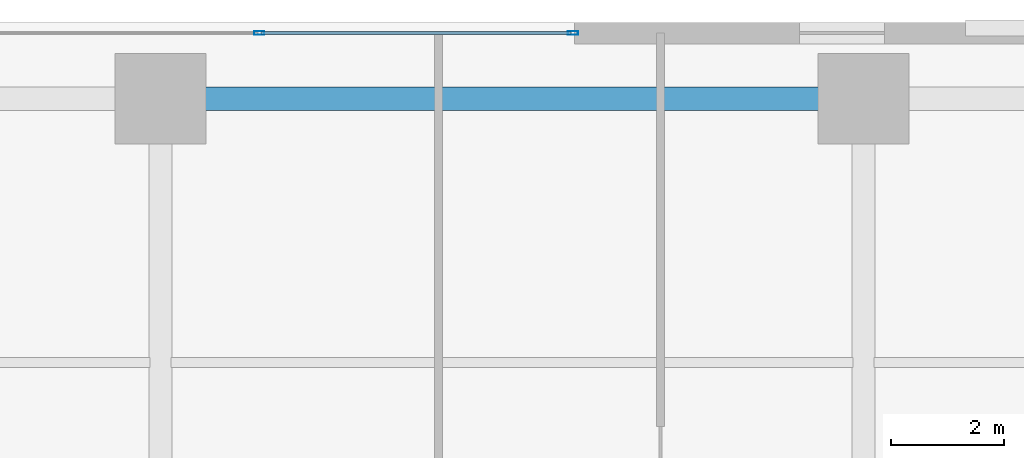
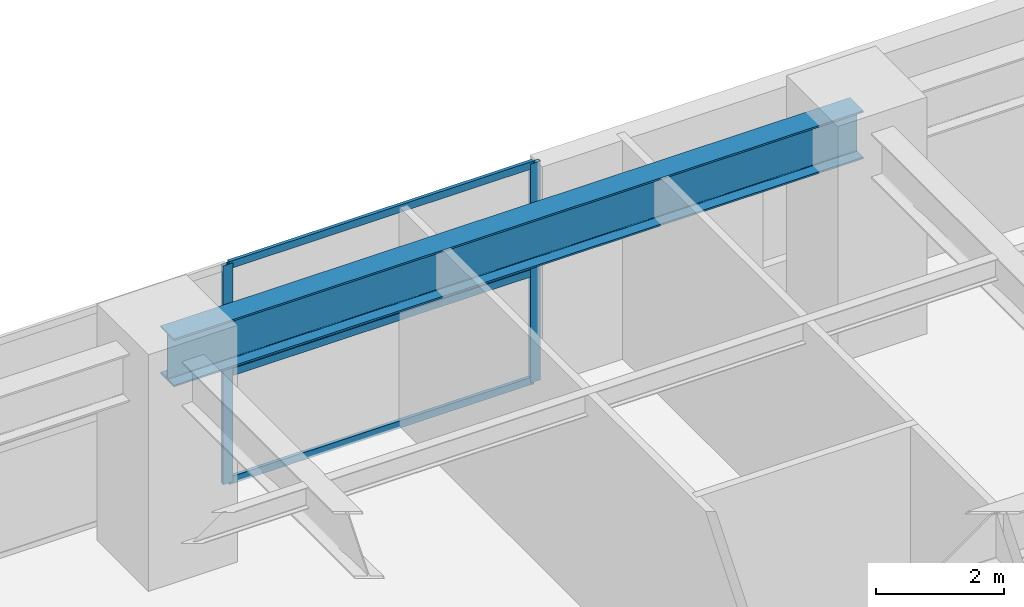
# One storey, part 8 of 28: 5 members, 1 beam, 1 element without a shape of its own.
"""IFC4 building model written with IfcOpenShell, lengths in metres."""

from ifc_helpers import new_model, si_unit, direction, frame, origin, origin_2d, place, context, subcontext, project, spatial, hollow_rectangle, i_section, extrude, source, transform, mapped, material, layer, layer_set, material_profile, profile_set, type_object, element, aggregate, save


model = new_model("IFC4")

# Units and contexts
model_context = context("Model", 3, precision=1e-05, world=origin(), true_north=direction((0.0, 1.0)))
body_context = subcontext(model_context, "Body", "Model", "MODEL_VIEW")
ifc_project = project(units=[si_unit("LENGTHUNIT", "METRE"), si_unit("AREAUNIT", "SQUARE_METRE"), si_unit("VOLUMEUNIT", "CUBIC_METRE"), si_unit("PLANEANGLEUNIT", "RADIAN"), si_unit("MASSUNIT", "GRAM", prefix="KILO")], contexts=[model_context])

# Site, building, storey
site_placement = place(None, origin())
site = spatial("IfcSite", under=ifc_project, at=site_placement, CompositionType="ELEMENT")
building_placement = place(site_placement, origin())
building = spatial("IfcBuilding", under=site, at=building_placement, Name="Khoralis Quay Care Tower", CompositionType="ELEMENT")
storey_placement = place(building_placement, frame((0.0, 0.0, 9.0)))
storey = spatial("IfcBuildingStorey", under=building, at=storey_placement, Name="L02", CompositionType="ELEMENT", Elevation=9.0)

# Beam
ifc_material_1 = material(Name="Steel S355", Category="steel")
ifc_material_profile_1 = material_profile(ifc_material_1, i_section(OverallWidth=0.41796875, OverallDepth=0.912109375, WebThickness=0.019287109375, FlangeThickness=0.031982421875, FilletRadius=0.02392578125, at=origin_2d()), Name="Steel S355")
ifc_profile_set_1 = profile_set([ifc_material_profile_1], Name="Steel S355")
beam_type = type_object("IfcBeamType", Name="BM-W920X342", PredefinedType="BEAM", material=ifc_profile_set_1)
shared_shape_1 = source(origin(), body_context, "Body", "SweptSolid", [
    extrude(i_section(OverallWidth=0.41796875, OverallDepth=0.912109375, WebThickness=0.019287109375, FlangeThickness=0.031982421875, FilletRadius=0.02392578125, at=origin_2d()), origin(), (0.0, 0.0, 1.0), 12.39990234375),
])
beam_placement = place(storey_placement, frame((34.60009765625, 46.64990234375, 3.7041015625), z_axis=(1.0, 0.0, 0.0), x_axis=(0.0, 1.0, 0.0)))
element("IfcBeam", 1, at=beam_placement, inside=storey, type_object=beam_type, Name="BM-PODX-L02-22", PredefinedType="BEAM", context=body_context, shape_type="MappedRepresentation", body=[
    mapped(shared_shape_1, transform((0.0, 0.0, 0.0), scale=1.0)),
])

# Curtain wall, members
ifc_material_2 = material(Name="Pale anodised aluminium", Category="aluminium")
ifc_layer = layer(ifc_material_2, 0.179931640625)
ifc_layer_set = layer_set([ifc_layer], Name="Pale anodised aluminium")
curtain_wall_type = type_object("IfcCurtainWallType", Name="CW-SYS-Z1", PredefinedType="NOTDEFINED", material=ifc_layer_set)
curtain_wall_placement = place(storey_placement, origin())
curtain_wall = element("IfcCurtainWall", 2, at=curtain_wall_placement, inside=storey, type_object=curtain_wall_type, Name="L02 Unitised Curtain Wall CW-POD-L02-E4", PredefinedType="NOTDEFINED")
ifc_material_profile_2 = material_profile(ifc_material_2, hollow_rectangle(XDim=0.06494140625, YDim=0.179931640625, WallThickness=0.00390625, at=origin_2d()), Name="Pale anodised aluminium")
ifc_profile_set_2 = profile_set([ifc_material_profile_2], Name="Pale anodised aluminium")
member_type_1 = type_object("IfcMemberType", Name="CW-MUL-180", PredefinedType="MULLION", material=ifc_profile_set_2)
shared_shape_2 = source(origin(), body_context, "Body", "SweptSolid", [
    extrude(hollow_rectangle(XDim=0.06494140625, YDim=0.179931640625, WallThickness=0.00390625, at=origin_2d()), origin(), (0.0, 0.0, 1.0), 4.159912109375),
])
member_1_placement = place(storey_placement, frame((41.875, 47.81005859375, 0.0), z_axis=(0.0, 0.0, 1.0), x_axis=(0.0, -1.0, 0.0)))
member_1 = element("IfcMember", 3, at=member_1_placement, type_object=member_type_1, Name="CW1 mullion 1", PredefinedType="MULLION", context=body_context, shape_type="MappedRepresentation", body=[
    mapped(shared_shape_2, transform((0.0, 0.0, 0.0), scale=1.0)),
])
member_2_placement = place(storey_placement, frame((36.343017578125, 47.81005859375, 0.0), z_axis=(0.0, 0.0, 1.0), x_axis=(0.0, -1.0, 0.0)))
member_2 = element("IfcMember", 4, at=member_2_placement, type_object=member_type_1, Name="CW1 mullion 2", PredefinedType="MULLION", context=body_context, shape_type="MappedRepresentation", body=[
    mapped(shared_shape_2, transform((0.0, 0.0, 0.0), scale=1.0)),
])
ifc_material_profile_3 = material_profile(ifc_material_2, hollow_rectangle(XDim=0.06005859375, YDim=0.139892578125, WallThickness=0.00390625, at=origin_2d()), Name="Pale anodised aluminium")
ifc_profile_set_3 = profile_set([ifc_material_profile_3], Name="Pale anodised aluminium")
member_type_2 = type_object("IfcMemberType", Name="CW-TRN-140", PredefinedType="USERDEFINED", material=ifc_profile_set_3)
shared_shape_3 = source(origin(), body_context, "Body", "SweptSolid", [
    extrude(hollow_rectangle(XDim=0.06005859375, YDim=0.139892578125, WallThickness=0.00390625, at=origin_2d()), origin(), (0.0, 0.0, 1.0), 5.471923828125),
])
member_3_placement = place(storey_placement, frame((41.844970703125, 47.81005859375, 0.030029296875), z_axis=(-1.0, 0.0, 0.0), x_axis=(0.0, -1.0, 0.0)))
member_3 = element("IfcMember", 5, at=member_3_placement, type_object=member_type_2, Name="CW1 transom 1.1", ObjectType="TRANSOM", PredefinedType="USERDEFINED", context=body_context, shape_type="MappedRepresentation", body=[
    mapped(shared_shape_3, transform((0.0, 0.0, 0.0), scale=1.0)),
])
member_4_placement = place(storey_placement, frame((41.844970703125, 47.81005859375, 2.080078125), z_axis=(-1.0, 0.0, 0.0), x_axis=(0.0, -1.0, 0.0)))
member_4 = element("IfcMember", 6, at=member_4_placement, type_object=member_type_2, Name="CW1 transom 1.2", ObjectType="TRANSOM", PredefinedType="USERDEFINED", context=body_context, shape_type="MappedRepresentation", body=[
    mapped(shared_shape_3, transform((0.0, 0.0, 0.0), scale=1.0)),
])
member_5_placement = place(storey_placement, frame((41.844970703125, 47.81005859375, 4.1298828125), z_axis=(-1.0, 0.0, 0.0), x_axis=(0.0, -1.0, 0.0)))
member_5 = element("IfcMember", 7, at=member_5_placement, type_object=member_type_2, Name="CW1 transom 1.3", ObjectType="TRANSOM", PredefinedType="USERDEFINED", context=body_context, shape_type="MappedRepresentation", body=[
    mapped(shared_shape_3, transform((0.0, 0.0, 0.0), scale=1.0)),
])
aggregate(curtain_wall, [member_1, member_2, member_3, member_4, member_5])

save(model, "model.ifc")
